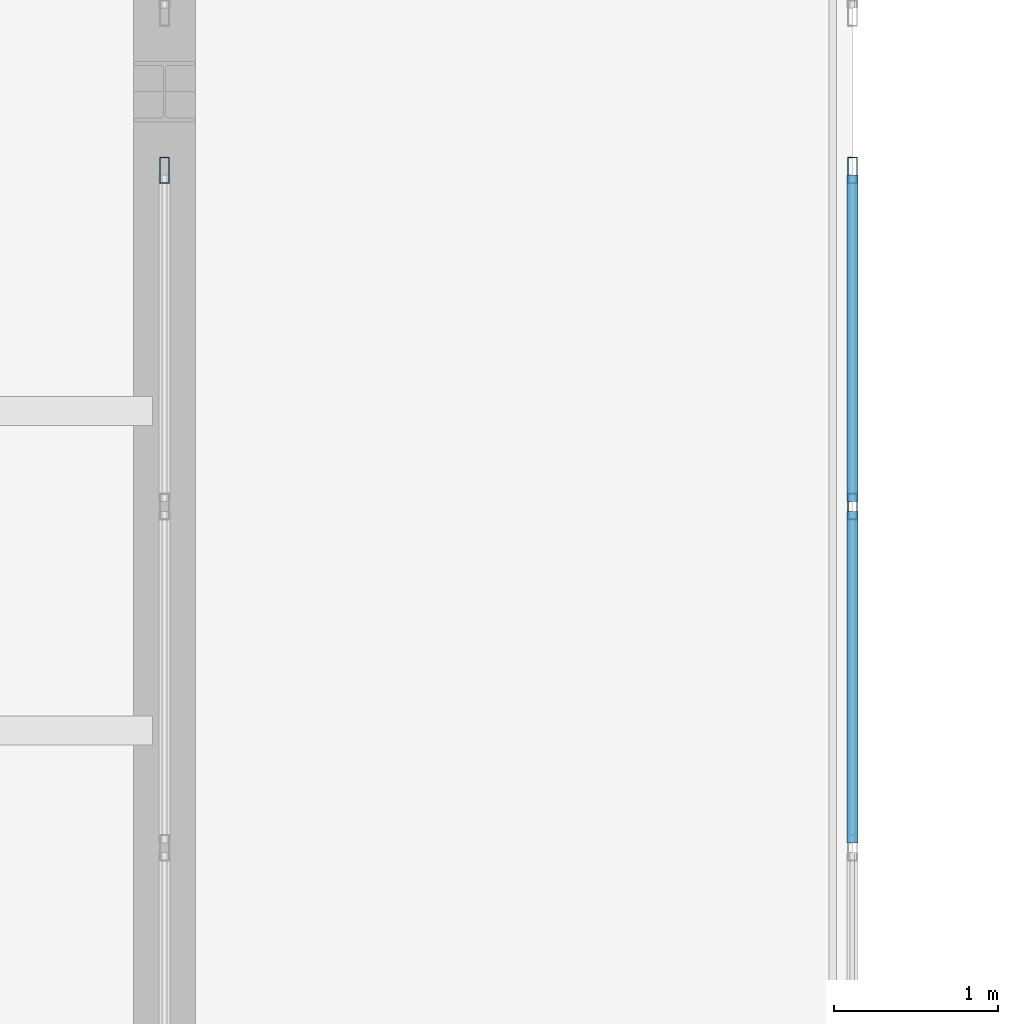
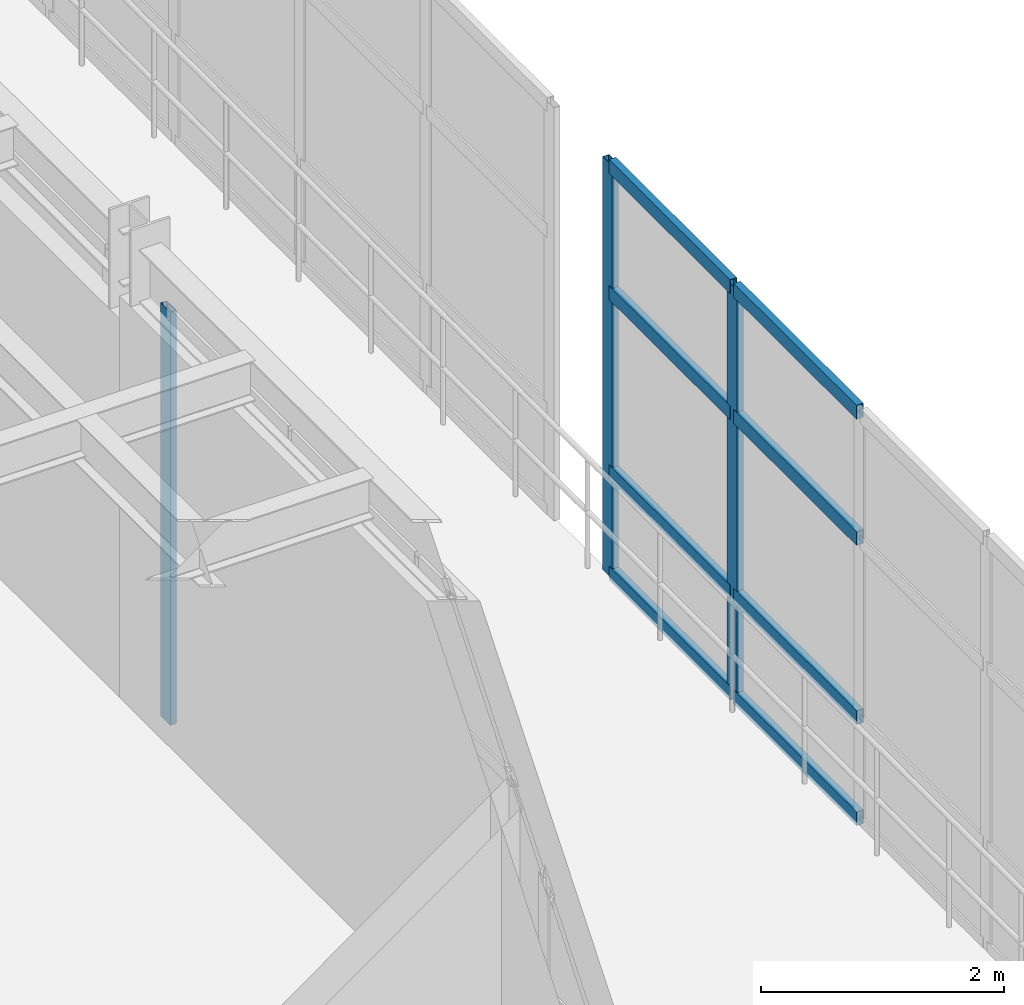
# One storey, part 46 of 116: 11 members, 2 elements without a shape of their own.
"""IFC4 building model written with IfcOpenShell, lengths in metres."""

from ifc_helpers import new_model, si_unit, direction, frame, origin, origin_2d, place, context, subcontext, project, spatial, hollow_rectangle, extrude, material, layer, layer_set, material_profile, profile_set, type_object, element, aggregate, save


model = new_model("IFC4")

# Units and contexts
model_context = context("Model", 3, precision=1e-05, world=origin(), true_north=direction((0.0, 1.0)))
body_context = subcontext(model_context, "Body", "Model", "MODEL_VIEW")
ifc_project = project(units=[si_unit("LENGTHUNIT", "METRE"), si_unit("AREAUNIT", "SQUARE_METRE"), si_unit("VOLUMEUNIT", "CUBIC_METRE"), si_unit("PLANEANGLEUNIT", "RADIAN"), si_unit("MASSUNIT", "GRAM", prefix="KILO")], contexts=[model_context])

# Site, building, storey
site_placement = place(None, origin())
site = spatial("IfcSite", under=ifc_project, at=site_placement, CompositionType="ELEMENT")
building_placement = place(site_placement, origin())
building = spatial("IfcBuilding", under=site, at=building_placement, Name="Selat Folded Stagehouse", CompositionType="ELEMENT")
storey_placement = place(building_placement, frame((0.0, 0.0, 5.39990234375)))
storey = spatial("IfcBuildingStorey", under=building, at=storey_placement, Name="L01", CompositionType="ELEMENT", Elevation=5.39990234375)

# Curtain wall, member
ifc_material = material(Name="Aluminium 6063-T6", Category="aluminium")
ifc_layer = layer(ifc_material, 0.175048828125)
ifc_layer_set = layer_set([ifc_layer], Name="Aluminium 6063-T6")
curtain_wall_type = type_object("IfcCurtainWallType", Name="CW-BRG-GLAZ", PredefinedType="NOTDEFINED", material=ifc_layer_set)
curtain_wall_1_placement = place(storey_placement, origin())
curtain_wall_1 = element("IfcCurtainWall", 1, at=curtain_wall_1_placement, inside=storey, type_object=curtain_wall_type, Name="L01 curtain wall CW-BRG-01", PredefinedType="NOTDEFINED")
ifc_material_profile_1 = material_profile(ifc_material, hollow_rectangle(XDim=0.06005859375, YDim=0.159912109375, WallThickness=0.00390625, at=origin_2d()), Name="ALU 160x60x4.0")
ifc_profile_set_1 = profile_set([ifc_material_profile_1], Name="Aluminium 6063-T6")
member_type_1 = type_object("IfcMemberType", Name="CWM-MUL-160x60", PredefinedType="MULLION", material=ifc_profile_set_1)
member_1_placement = place(storey_placement, frame((67.199951171875, 30.719970703125, 0.0), z_axis=(0.0, 0.0, 1.0), x_axis=(-1.0, 0.0, 0.0)))
member_1 = element("IfcMember", 2, at=member_1_placement, type_object=member_type_1, Name="CW-07 mullion 7", PredefinedType="MULLION", context=body_context, shape_type="SweptSolid", body=[
    extrude(hollow_rectangle(XDim=0.06005859375, YDim=0.159912109375, WallThickness=0.00390625, at=origin_2d()), origin(), (0.0, 0.0, 1.0), 4.150146484375),
])
aggregate(curtain_wall_1, [member_1])

# Curtain wall, members
curtain_wall_2_placement = place(storey_placement, origin())
curtain_wall_2 = element("IfcCurtainWall", 3, at=curtain_wall_2_placement, inside=storey, type_object=curtain_wall_type, Name="L01 curtain wall CW-BRG-06", PredefinedType="NOTDEFINED")
member_2_placement = place(storey_placement, frame((71.39990234375, 30.719970703125, 0.0), z_axis=(0.0, 0.0, 1.0), x_axis=(1.0, 0.0, 0.0)))
member_2 = element("IfcMember", 4, at=member_2_placement, type_object=member_type_1, Name="CW-07 mullion 1", PredefinedType="MULLION", context=body_context, shape_type="SweptSolid", body=[
    extrude(hollow_rectangle(XDim=0.06005859375, YDim=0.159912109375, WallThickness=0.00390625, at=origin_2d()), origin(), (0.0, 0.0, 1.0), 4.150146484375),
])
member_3_placement = place(storey_placement, frame((71.39990234375, 28.666748046875, 0.0), z_axis=(0.0, 0.0, 1.0), x_axis=(1.0, 0.0, 0.0)))
member_3 = element("IfcMember", 5, at=member_3_placement, type_object=member_type_1, Name="CW-07 mullion 2", PredefinedType="MULLION", context=body_context, shape_type="SweptSolid", body=[
    extrude(hollow_rectangle(XDim=0.06005859375, YDim=0.159912109375, WallThickness=0.00390625, at=origin_2d()), origin(), (0.0, 0.0, 1.0), 4.150146484375),
])
ifc_material_profile_2 = material_profile(ifc_material, hollow_rectangle(XDim=0.06494140625, YDim=0.139892578125, WallThickness=0.00390625, at=origin_2d()), Name="ALU 140x65x4.0")
ifc_profile_set_2 = profile_set([ifc_material_profile_2], Name="Aluminium 6063-T6")
member_type_2 = type_object("IfcMemberType", Name="CWM-TRN-140x65", PredefinedType="USERDEFINED", material=ifc_profile_set_2)
member_4_placement = place(storey_placement, frame((71.39990234375, 30.68994140625, 0.03271484375), z_axis=(0.0, -1.0, 0.0), x_axis=(1.0, 0.0, 0.0)))
member_4 = element("IfcMember", 6, at=member_4_placement, type_object=member_type_2, Name="CW-07 transom 1.1", ObjectType="TRANSOM", PredefinedType="USERDEFINED", context=body_context, shape_type="SweptSolid", body=[
    extrude(hollow_rectangle(XDim=0.06494140625, YDim=0.139892578125, WallThickness=0.00390625, at=origin_2d()), origin(), (0.0, 0.0, 1.0), 1.9931640625),
])
member_5_placement = place(storey_placement, frame((71.39990234375, 30.68994140625, 1.050048828125), z_axis=(0.0, -1.0, 0.0), x_axis=(1.0, 0.0, 0.0)))
member_5 = element("IfcMember", 7, at=member_5_placement, type_object=member_type_2, Name="CW-07 transom 1.2", ObjectType="TRANSOM", PredefinedType="USERDEFINED", context=body_context, shape_type="SweptSolid", body=[
    extrude(hollow_rectangle(XDim=0.06494140625, YDim=0.139892578125, WallThickness=0.00390625, at=origin_2d()), origin(), (0.0, 0.0, 1.0), 1.9931640625),
])
member_6_placement = place(storey_placement, frame((71.39990234375, 30.68994140625, 2.85009765625), z_axis=(0.0, -1.0, 0.0), x_axis=(1.0, 0.0, 0.0)))
member_6 = element("IfcMember", 8, at=member_6_placement, type_object=member_type_2, Name="CW-07 transom 1.3", ObjectType="TRANSOM", PredefinedType="USERDEFINED", context=body_context, shape_type="SweptSolid", body=[
    extrude(hollow_rectangle(XDim=0.06494140625, YDim=0.139892578125, WallThickness=0.00390625, at=origin_2d()), origin(), (0.0, 0.0, 1.0), 1.9931640625),
])
member_7_placement = place(storey_placement, frame((71.39990234375, 30.68994140625, 4.11767578125), z_axis=(0.0, -1.0, 0.0), x_axis=(1.0, 0.0, 0.0)))
member_7 = element("IfcMember", 9, at=member_7_placement, type_object=member_type_2, Name="CW-07 transom 1.4", ObjectType="TRANSOM", PredefinedType="USERDEFINED", context=body_context, shape_type="SweptSolid", body=[
    extrude(hollow_rectangle(XDim=0.06494140625, YDim=0.139892578125, WallThickness=0.00390625, at=origin_2d()), origin(), (0.0, 0.0, 1.0), 1.9931640625),
])
member_8_placement = place(storey_placement, frame((71.39990234375, 28.63671875, 0.03271484375), z_axis=(0.0, -1.0, 0.0), x_axis=(1.0, 0.0, 0.0)))
member_8 = element("IfcMember", 10, at=member_8_placement, type_object=member_type_2, Name="CW-07 transom 2.1", ObjectType="TRANSOM", PredefinedType="USERDEFINED", context=body_context, shape_type="SweptSolid", body=[
    extrude(hollow_rectangle(XDim=0.06494140625, YDim=0.139892578125, WallThickness=0.00390625, at=origin_2d()), origin(), (0.0, 0.0, 1.0), 2.0234375),
])
member_9_placement = place(storey_placement, frame((71.39990234375, 28.63671875, 1.050048828125), z_axis=(0.0, -1.0, 0.0), x_axis=(1.0, 0.0, 0.0)))
member_9 = element("IfcMember", 11, at=member_9_placement, type_object=member_type_2, Name="CW-07 transom 2.2", ObjectType="TRANSOM", PredefinedType="USERDEFINED", context=body_context, shape_type="SweptSolid", body=[
    extrude(hollow_rectangle(XDim=0.06494140625, YDim=0.139892578125, WallThickness=0.00390625, at=origin_2d()), origin(), (0.0, 0.0, 1.0), 2.0234375),
])
member_10_placement = place(storey_placement, frame((71.39990234375, 28.63671875, 2.85009765625), z_axis=(0.0, -1.0, 0.0), x_axis=(1.0, 0.0, 0.0)))
member_10 = element("IfcMember", 12, at=member_10_placement, type_object=member_type_2, Name="CW-07 transom 2.3", ObjectType="TRANSOM", PredefinedType="USERDEFINED", context=body_context, shape_type="SweptSolid", body=[
    extrude(hollow_rectangle(XDim=0.06494140625, YDim=0.139892578125, WallThickness=0.00390625, at=origin_2d()), origin(), (0.0, 0.0, 1.0), 2.0234375),
])
member_11_placement = place(storey_placement, frame((71.39990234375, 28.63671875, 4.11767578125), z_axis=(0.0, -1.0, 0.0), x_axis=(1.0, 0.0, 0.0)))
member_11 = element("IfcMember", 13, at=member_11_placement, type_object=member_type_2, Name="CW-07 transom 2.4", ObjectType="TRANSOM", PredefinedType="USERDEFINED", context=body_context, shape_type="SweptSolid", body=[
    extrude(hollow_rectangle(XDim=0.06494140625, YDim=0.139892578125, WallThickness=0.00390625, at=origin_2d()), origin(), (0.0, 0.0, 1.0), 2.0234375),
])
aggregate(curtain_wall_2, [member_2, member_3, member_4, member_5, member_6, member_7, member_8, member_9, member_10, member_11])

save(model, "model.ifc")
